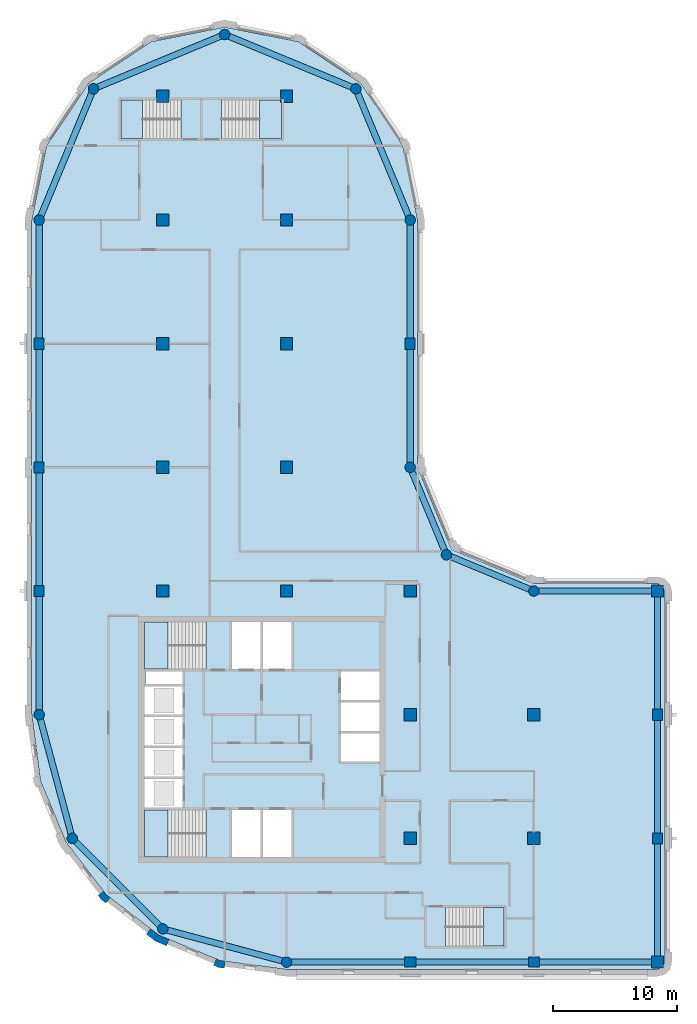
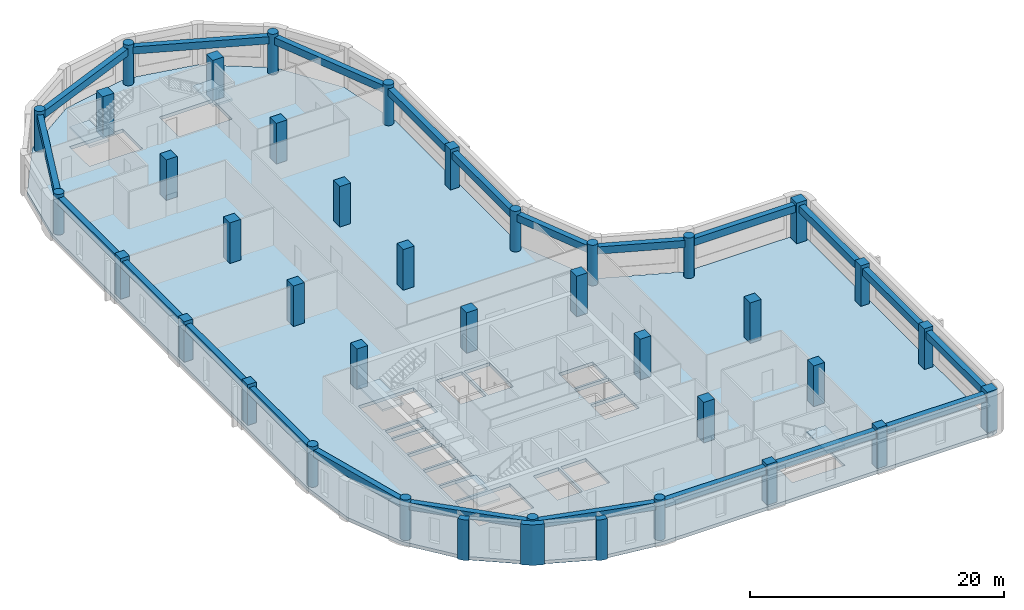
# One storey, part 1 of 9: 37 columns, 22 beams, 6 slabs, 3 walls, 5 elements without a shape of their own.
"""IFC4 building model written with IfcOpenShell, lengths in metres."""

from ifc_helpers import new_model, si_unit, direction, frame, origin, origin_2d, place, context, subcontext, project, spatial, polyline, rectangle, circle, outline, extrude, material, layer, layer_set, material_profile, profile_set, type_object, element, aggregate, save


model = new_model("IFC4")

# Units and contexts
model_context = context("Model", 3, precision=1e-05, world=origin(), true_north=direction((0.0, 1.0)))
body_context = subcontext(model_context, "Body", "Model", "MODEL_VIEW")
ifc_project = project(units=[si_unit("LENGTHUNIT", "METRE"), si_unit("AREAUNIT", "SQUARE_METRE"), si_unit("VOLUMEUNIT", "CUBIC_METRE"), si_unit("PLANEANGLEUNIT", "RADIAN"), si_unit("MASSUNIT", "GRAM", prefix="KILO")], contexts=[model_context])

# Site, building, storey
site_placement = place(None, origin())
site = spatial("IfcSite", under=ifc_project, at=site_placement, CompositionType="ELEMENT")
building_placement = place(site_placement, origin())
building = spatial("IfcBuilding", under=site, at=building_placement, Name="Qaws Garden Tower", CompositionType="ELEMENT")
storey_placement = place(building_placement, frame((0.0, 0.0, 255.300048828125)))
storey = spatial("IfcBuildingStorey", under=building, at=storey_placement, Name="L61", CompositionType="ELEMENT", Elevation=255.300048828125)

# Columns
ifc_material_1 = material(Name="Concrete C60", Category="concrete")
ifc_material_profile_1 = material_profile(ifc_material_1, rectangle(XDim=1.0, YDim=1.0, at=origin_2d()), Name="RC 1000x1000")
ifc_profile_set_1 = profile_set([ifc_material_profile_1], Name="Concrete C60")
column_type_1 = type_object("IfcColumnType", Name="Column RC 1000x1000 C60", PredefinedType="COLUMN", material=ifc_profile_set_1)
for number, where, z_axis, x_axis, name in (
    (1, (10.0, 30.0, 0.0), (0.0, 0.0, 1.0), (1.0, 0.0, 0.0), "Column L61-023"),
    (2, (10.0, 40.0, 0.0), (0.0, 0.0, 1.0), (1.0, 0.0, 0.0), "Column L61-024"),
    (3, (10.0, 50.0, 0.0), (0.0, 0.0, 1.0), (1.0, 0.0, 0.0), "Column L61-025"),
    (4, (10.0, 60.0, 0.0), (0.0, 0.0, 1.0), (1.0, 0.0, 0.0), "Column L61-026"),
    (5, (10.0, 70.0, 0.0), (0.0, 0.0, 1.0), (1.0, 0.0, 0.0), "Column L61-027"),
    (6, (20.0, 30.0, 0.0), (0.0, 0.0, 1.0), (1.0, 0.0, 0.0), "Column L61-028"),
    (7, (20.0, 40.0, 0.0), (0.0, 0.0, 1.0), (1.0, 0.0, 0.0), "Column L61-029"),
    (8, (20.0, 50.0, 0.0), (0.0, 0.0, 1.0), (1.0, 0.0, 0.0), "Column L61-030"),
    (9, (20.0, 60.0, 0.0), (0.0, 0.0, 1.0), (1.0, 0.0, 0.0), "Column L61-031"),
    (10, (20.0, 70.0, 0.0), (0.0, 0.0, 1.0), (1.0, 0.0, 0.0), "Column L61-032"),
    (11, (30.0, 10.0, 0.0), (0.0, 0.0, 1.0), (1.0, 0.0, 0.0), "Column L61-033"),
    (12, (30.0, 20.0, 0.0), (0.0, 0.0, 1.0), (1.0, 0.0, 0.0), "Column L61-034"),
    (13, (30.0, 30.0, 0.0), (0.0, 0.0, 1.0), (1.0, 0.0, 0.0), "Column L61-035"),
    (14, (40.0, 10.0, 0.0), (0.0, 0.0, 1.0), (1.0, 0.0, 0.0), "Column L61-036"),
    (15, (40.0, 20.0, 0.0), (0.0, 0.0, 1.0), (1.0, 0.0, 0.0), "Column L61-037"),
):
    element("IfcColumn", number, at=place(storey_placement, frame(where, z_axis=z_axis, x_axis=x_axis)), inside=storey, type_object=column_type_1, Name=name, PredefinedType="COLUMN", context=body_context, shape_type="SweptSolid", body=[
        extrude(rectangle(XDim=1.0, YDim=1.0, at=origin_2d()), origin(), (0.0, 0.0, 1.0), 3.89990234375),
    ])
ifc_material_2 = material(Name="Concrete C60", Category="concrete")
ifc_material_profile_2 = material_profile(ifc_material_2, rectangle(XDim=0.89990234375, YDim=0.800048828125, at=origin_2d()), Name="RC 900x800")
ifc_profile_set_2 = profile_set([ifc_material_profile_2], Name="Concrete C60")
column_type_2 = type_object("IfcColumnType", Name="Column RC 900x800 C60", PredefinedType="COLUMN", material=ifc_profile_set_2)
for number, where, z_axis, x_axis, name in (
    (16, (30.0, 0.0, 0.0), (0.0, 0.0, 1.0), (1.0, 0.0, 0.0), "Column L61-002"),
    (17, (40.0, 0.0, 0.0), (0.0, 0.0, 1.0), (1.0, 0.0, 0.0), "Column L61-003"),
    (18, (50.0, 10.0, 0.0), (0.0, 0.0, 1.0), (0.0, 1.0, 0.0), "Column L61-005"),
    (19, (50.0, 20.0, 0.0), (0.0, 0.0, 1.0), (0.0, 1.0, 0.0), "Column L61-006"),
    (20, (30.0, 50.0, 0.0), (0.0, 0.0, 1.0), (0.0, 1.0, 0.0), "Column L61-011"),
    (21, (0.0, 50.0, 0.0), (0.0, 0.0, 1.0), (0.0, 1.0, 0.0), "Column L61-017"),
    (22, (0.0, 40.0, 0.0), (0.0, 0.0, 1.0), (0.0, 1.0, 0.0), "Column L61-018"),
    (23, (0.0, 30.0, 0.0), (0.0, 0.0, 1.0), (0.0, 1.0, 0.0), "Column L61-019"),
):
    element("IfcColumn", number, at=place(storey_placement, frame(where, z_axis=z_axis, x_axis=x_axis)), inside=storey, type_object=column_type_2, Name=name, PredefinedType="COLUMN", context=body_context, shape_type="SweptSolid", body=[
        extrude(rectangle(XDim=0.89990234375, YDim=0.800048828125, at=origin_2d()), origin(), (0.0, 0.0, 1.0), 3.89990234375),
    ])
ifc_material_3 = material(Name="Concrete C60", Category="concrete")
ifc_material_profile_3 = material_profile(ifc_material_3, rectangle(XDim=0.949951171875, YDim=0.949951171875, at=origin_2d()), Name="RC 950x950")
ifc_profile_set_3 = profile_set([ifc_material_profile_3], Name="Concrete C60")
column_type_3 = type_object("IfcColumnType", Name="Column RC 950x950 C60", PredefinedType="COLUMN", material=ifc_profile_set_3)
for number, where, z_axis, x_axis, name in (
    (24, (50.0, 0.0, 0.0), (0.0, 0.0, 1.0), (1.0, 0.0, 0.0), "Column L61-004"),
    (25, (50.0, 30.0, 0.0), (0.0, 0.0, 1.0), (1.0, 0.0, 0.0), "Column L61-007"),
):
    element("IfcColumn", number, at=place(storey_placement, frame(where, z_axis=z_axis, x_axis=x_axis)), inside=storey, type_object=column_type_3, Name=name, PredefinedType="COLUMN", context=body_context, shape_type="SweptSolid", body=[
        extrude(rectangle(XDim=0.949951171875, YDim=0.949951171875, at=origin_2d()), origin(), (0.0, 0.0, 1.0), 3.89990234375),
    ])
ifc_material_4 = material(Name="Concrete C60", Category="concrete")
ifc_material_profile_4 = material_profile(ifc_material_4, circle(Radius=0.425048828125, at=origin_2d()), Name="RC D850")
ifc_profile_set_4 = profile_set([ifc_material_profile_4], Name="Concrete C60")
column_type_4 = type_object("IfcColumnType", Name="Column RC D850 C60", PredefinedType="COLUMN", material=ifc_profile_set_4)
for number, where, z_axis, x_axis, name in (
    (26, (20.0, 0.0, 0.0), (0.0, 0.0, 1.0), (1.0, 0.0, 0.0), "Column L61-001"),
    (27, (40.0, 30.0, 0.0), (0.0, 0.0, 1.0), (1.0, 0.0, 0.0), "Column L61-008"),
    (28, (32.928955078125, 32.928955078125, 0.0), (0.0, 0.0, 1.0), (1.0, 0.0, 0.0), "Column L61-009"),
    (29, (30.0, 40.0, 0.0), (0.0, 0.0, 1.0), (1.0, 0.0, 0.0), "Column L61-010"),
    (30, (30.0, 60.0, 0.0), (0.0, 0.0, 1.0), (1.0, 0.0, 0.0), "Column L61-012"),
    (31, (25.606689453125, 70.606689453125, 0.0), (0.0, 0.0, 1.0), (1.0, 0.0, 0.0), "Column L61-013"),
    (32, (15.0, 75.0, 0.0), (0.0, 0.0, 1.0), (1.0, 0.0, 0.0), "Column L61-014"),
    (33, (4.393310546875, 70.606689453125, 0.0), (0.0, 0.0, 1.0), (1.0, 0.0, 0.0), "Column L61-015"),
    (34, (0.0, 60.0, 0.0), (0.0, 0.0, 1.0), (1.0, 0.0, 0.0), "Column L61-016"),
    (35, (0.0, 20.0, 0.0), (0.0, 0.0, 1.0), (1.0, 0.0, 0.0), "Column L61-020"),
    (36, (2.679443359375, 10.0, 0.0), (0.0, 0.0, 1.0), (1.0, 0.0, 0.0), "Column L61-021"),
    (37, (10.0, 2.679443359375, 0.0), (0.0, 0.0, 1.0), (1.0, 0.0, 0.0), "Column L61-022"),
):
    element("IfcColumn", number, at=place(storey_placement, frame(where, z_axis=z_axis, x_axis=x_axis)), inside=storey, type_object=column_type_4, Name=name, PredefinedType="COLUMN", context=body_context, shape_type="SweptSolid", body=[
        extrude(circle(Radius=0.425048828125, at=origin_2d()), origin(), (0.0, 0.0, 1.0), 3.89990234375),
    ])

# Beams
ifc_material_5 = material(Name="Concrete C45", Category="concrete")
ifc_material_profile_5 = material_profile(ifc_material_5, rectangle(XDim=0.5, YDim=0.699951171875, at=origin_2d()), Name="RC 500x700")
ifc_profile_set_5 = profile_set([ifc_material_profile_5], Name="Concrete C45")
beam_type = type_object("IfcBeamType", Name="Spandrel beam RC 500x700 C45", PredefinedType="SPANDREL", material=ifc_profile_set_5)
for number, where, z_axis, x_axis, name in (
    (38, (20.0, 0.0, 3.22998046875), (1.0, 0.0, 0.0), (0.0, 1.0, 0.0), "Spandrel beam L61-001"),
    (39, (30.0, 0.0, 3.22998046875), (1.0, 0.0, 0.0), (0.0, 1.0, 0.0), "Spandrel beam L61-002"),
    (40, (40.0, 0.0, 3.22998046875), (1.0, 0.0, 0.0), (0.0, 1.0, 0.0), "Spandrel beam L61-003"),
    (41, (50.0, 0.0, 3.22998046875), (0.0, 1.0, 0.0), (-1.0, 0.0, 0.0), "Spandrel beam L61-004"),
    (42, (50.0, 10.0, 3.22998046875), (0.0, 1.0, 0.0), (-1.0, 0.0, 0.0), "Spandrel beam L61-005"),
    (43, (50.0, 20.0, 3.22998046875), (0.0, 1.0, 0.0), (-1.0, 0.0, 0.0), "Spandrel beam L61-006"),
    (44, (50.0, 30.0, 3.22998046875), (-1.0, 0.0, 0.0), (0.0, -1.0, 0.0), "Spandrel beam L61-007"),
):
    element("IfcBeam", number, at=place(storey_placement, frame(where, z_axis=z_axis, x_axis=x_axis)), inside=storey, type_object=beam_type, Name=name, PredefinedType="SPANDREL", context=body_context, shape_type="SweptSolid", body=[
        extrude(rectangle(XDim=0.5, YDim=0.699951171875, at=origin_2d()), origin(), (0.0, 0.0, 1.0), 10.0),
    ])
for number, where, z_axis, x_axis, name in (
    (45, (40.0, 30.0, 3.22998046875), (-0.923878037141, 0.382687042488, 0.0), (-0.382687042488, -0.923878037141, 0.0), "Spandrel beam L61-008"),
    (46, (32.928955078125, 32.928955078125, 3.22998046875), (-0.382687042488, 0.923878037141, 0.0), (-0.923878037141, -0.382687042488, 0.0), "Spandrel beam L61-009"),
):
    element("IfcBeam", number, at=place(storey_placement, frame(where, z_axis=z_axis, x_axis=x_axis)), inside=storey, type_object=beam_type, Name=name, PredefinedType="SPANDREL", context=body_context, shape_type="SweptSolid", body=[
        extrude(rectangle(XDim=0.5, YDim=0.699951171875, at=origin_2d()), origin(), (0.0, 0.0, 1.0), 7.653564453125),
    ])
for number, where, z_axis, x_axis, name in (
    (47, (30.0, 40.0, 3.22998046875), (0.0, 1.0, 0.0), (-1.0, 0.0, 0.0), "Spandrel beam L61-010"),
    (48, (30.0, 50.0, 3.22998046875), (0.0, 1.0, 0.0), (-1.0, 0.0, 0.0), "Spandrel beam L61-011"),
):
    element("IfcBeam", number, at=place(storey_placement, frame(where, z_axis=z_axis, x_axis=x_axis)), inside=storey, type_object=beam_type, Name=name, PredefinedType="SPANDREL", context=body_context, shape_type="SweptSolid", body=[
        extrude(rectangle(XDim=0.5, YDim=0.699951171875, at=origin_2d()), origin(), (0.0, 0.0, 1.0), 10.0),
    ])
for number, where, z_axis, x_axis, name in (
    (49, (30.0, 60.0, 3.22998046875), (-0.382674207535, 0.923883353507, 0.0), (-0.923883353507, -0.382674207535, 0.0), "Spandrel beam L61-012"),
    (50, (25.606689453125, 70.606689453125, 3.22998046875), (-0.923883353507, 0.382674207535, 0.0), (-0.382674207535, -0.923883353507, 0.0), "Spandrel beam L61-013"),
    (51, (15.0, 75.0, 3.22998046875), (-0.923883353507, -0.382674207535, 0.0), (0.382674207535, -0.923883353507, 0.0), "Spandrel beam L61-014"),
    (52, (4.393310546875, 70.606689453125, 3.22998046875), (-0.382674207535, -0.923883353507, 0.0), (0.923883353507, -0.382674207535, 0.0), "Spandrel beam L61-015"),
):
    element("IfcBeam", number, at=place(storey_placement, frame(where, z_axis=z_axis, x_axis=x_axis)), inside=storey, type_object=beam_type, Name=name, PredefinedType="SPANDREL", context=body_context, shape_type="SweptSolid", body=[
        extrude(rectangle(XDim=0.5, YDim=0.699951171875, at=origin_2d()), origin(), (0.0, 0.0, 1.0), 11.48046875),
    ])
for number, where, z_axis, x_axis, name in (
    (53, (0.0, 60.0, 3.22998046875), (0.0, -1.0, 0.0), (1.0, 0.0, 0.0), "Spandrel beam L61-016"),
    (54, (0.0, 50.0, 3.22998046875), (0.0, -1.0, 0.0), (1.0, 0.0, 0.0), "Spandrel beam L61-017"),
    (55, (0.0, 40.0, 3.22998046875), (0.0, -1.0, 0.0), (1.0, 0.0, 0.0), "Spandrel beam L61-018"),
    (56, (0.0, 30.0, 3.22998046875), (0.0, -1.0, 0.0), (1.0, 0.0, 0.0), "Spandrel beam L61-019"),
):
    element("IfcBeam", number, at=place(storey_placement, frame(where, z_axis=z_axis, x_axis=x_axis)), inside=storey, type_object=beam_type, Name=name, PredefinedType="SPANDREL", context=body_context, shape_type="SweptSolid", body=[
        extrude(rectangle(XDim=0.5, YDim=0.699951171875, at=origin_2d()), origin(), (0.0, 0.0, 1.0), 10.0),
    ])
for number, where, z_axis, x_axis, name in (
    (57, (0.0, 20.0, 3.22998046875), (0.25881466832, -0.965926999034, 0.0), (0.965926999034, 0.25881466832, 0.0), "Spandrel beam L61-020"),
    (58, (2.679443359375, 10.0, 3.22998046875), (0.707106781187, -0.707106781187, 0.0), (0.707106781187, 0.707106781187, 0.0), "Spandrel beam L61-021"),
    (59, (10.0, 2.679443359375, 3.22998046875), (0.965926999034, -0.25881466832, 0.0), (0.25881466832, 0.965926999034, 0.0), "Spandrel beam L61-022"),
):
    element("IfcBeam", number, at=place(storey_placement, frame(where, z_axis=z_axis, x_axis=x_axis)), inside=storey, type_object=beam_type, Name=name, PredefinedType="SPANDREL", context=body_context, shape_type="SweptSolid", body=[
        extrude(rectangle(XDim=0.5, YDim=0.699951171875, at=origin_2d()), origin(), (0.0, 0.0, 1.0), 10.352783203125),
    ])

# Slab
ifc_material_6 = material(Name="Concrete C40", Category="concrete")
ifc_layer_1 = layer(ifc_material_6, 0.320068359375)
ifc_layer_set_1 = layer_set([ifc_layer_1], Name="Concrete C40")
slab_type_1 = type_object("IfcSlabType", Name="Floor slab 320 C40", PredefinedType="FLOOR", material=ifc_layer_set_1)
slab_1_placement = place(storey_placement, frame((0.0, 0.0, -0.320068359375)))
element("IfcSlab", 60, at=slab_1_placement, inside=storey, type_object=slab_type_1, Name="Floor slab L61", PredefinedType="FLOOR", context=body_context, shape_type="SweptSolid", body=[
    extrude(outline(polyline([(0.101806640625, 14.668212890625), (-0.60009765625, 20.0), (-0.60009765625, 30.60009765625), (-0.60009765625, 60.0), (-0.60009765625, 60.0), (0.58740234375, 65.969970703125), (3.968994140625, 71.031005859375), (9.030029296875, 74.41259765625), (15.0, 75.60009765625), (20.969970703125, 74.41259765625), (26.031005859375, 71.031005859375), (29.41259765625, 65.969970703125), (30.60009765625, 60.0), (30.60009765625, 40.0), (33.353271484375, 33.353271484375), (40.0, 30.60009765625), (50.0, 30.60009765625), (50.42431640625, 30.42431640625), (50.60009765625, 30.0), (50.60009765625, 0.0), (50.42431640625, -0.42431640625), (50.0, -0.60009765625), (30.60009765625, -0.60009765625), (20.0, -0.60009765625), (14.668212890625, 0.101806640625), (9.699951171875, 2.159912109375), (5.43359375, 5.43359375), (2.159912109375, 9.699951171875), (0.101806640625, 14.668212890625)]), holes=[polyline([(13.49951171875, 12.300048828125), (8.5, 12.300048828125), (8.5, 8.5), (13.49951171875, 8.5), (13.49951171875, 12.300048828125)]), polyline([(17.89990234375, 12.300048828125), (15.60009765625, 12.300048828125), (15.60009765625, 8.5), (17.89990234375, 8.5), (17.89990234375, 12.300048828125)]), polyline([(11.60009765625, 14.800048828125), (8.5, 14.800048828125), (8.5, 12.5), (11.60009765625, 12.5), (11.60009765625, 14.800048828125)]), polyline([(11.60009765625, 17.300048828125), (8.5, 17.300048828125), (8.5, 15.0), (11.60009765625, 15.0), (11.60009765625, 17.300048828125)]), polyline([(11.60009765625, 19.800048828125), (8.5, 19.800048828125), (8.5, 17.5), (11.60009765625, 17.5), (11.60009765625, 19.800048828125)]), polyline([(11.60009765625, 22.300048828125), (8.5, 22.300048828125), (8.5, 20.0), (11.60009765625, 20.0), (11.60009765625, 22.300048828125)]), polyline([(11.60009765625, 23.5), (8.60009765625, 23.5), (8.60009765625, 22.5), (11.60009765625, 22.5), (11.60009765625, 23.5)]), polyline([(13.49951171875, 27.5), (8.5, 27.5), (8.5, 23.699951171875), (13.49951171875, 23.699951171875), (13.49951171875, 27.5)]), polyline([(11.449462890625, 69.699951171875), (6.60009765625, 69.699951171875), (6.60009765625, 66.60009765625), (11.449462890625, 66.60009765625), (11.449462890625, 69.699951171875)]), polyline([(37.60009765625, 4.39990234375), (32.8505859375, 4.39990234375), (32.8505859375, 1.300048828125), (37.60009765625, 1.300048828125), (37.60009765625, 4.39990234375)]), polyline([(20.39990234375, 12.300048828125), (18.10009765625, 12.300048828125), (18.10009765625, 8.5), (20.39990234375, 8.5), (20.39990234375, 12.300048828125)]), polyline([(27.5, 18.5), (24.39990234375, 18.5), (24.39990234375, 16.199951171875), (27.5, 16.199951171875), (27.5, 18.5)]), polyline([(27.5, 21.0), (24.39990234375, 21.0), (24.39990234375, 18.699951171875), (27.5, 18.699951171875), (27.5, 21.0)]), polyline([(27.5, 23.5), (24.39990234375, 23.5), (24.39990234375, 21.199951171875), (27.5, 21.199951171875), (27.5, 23.5)]), polyline([(17.89990234375, 27.5), (15.60009765625, 27.5), (15.60009765625, 23.699951171875), (17.89990234375, 23.699951171875), (17.89990234375, 27.5)]), polyline([(20.39990234375, 23.699951171875), (20.39990234375, 27.5), (18.10009765625, 27.5), (18.10009765625, 23.699951171875), (20.39990234375, 23.699951171875)]), polyline([(19.60009765625, 66.60009765625), (19.60009765625, 69.699951171875), (14.75048828125, 69.699951171875), (14.75048828125, 66.60009765625), (19.60009765625, 66.60009765625)])]), origin(), (0.0, 0.0, 1.0), 0.320068359375),
])

# Stair, slab
ifc_material_7 = material(Name="Concrete C40", Category="concrete")
stair_type_1 = type_object("IfcStairType", Name="Exit stair 1500", PredefinedType="HALF_TURN_STAIR", material=ifc_material_7)
placement_1 = place(storey_placement, origin())
stair_1 = element("IfcStair", 61, at=placement_1, inside=storey, type_object=stair_type_1, Name="Stair 1", PredefinedType="HALF_TURN_STAIR")
ifc_material_8 = material(Name="Concrete C40", Category="concrete")
ifc_layer_2 = layer(ifc_material_8, 0.199951171875)
ifc_layer_set_2 = layer_set([ifc_layer_2], Name="Concrete C40")
slab_type_2 = type_object("IfcSlabType", Name="Stair landing 200", PredefinedType="LANDING", material=ifc_layer_set_2)
placement_2 = place(storey_placement, frame((0.0, 0.0, 1.75)))
slab_2 = element("IfcSlab", 62, at=placement_2, type_object=slab_type_2, Name="ST1 landing 1", PredefinedType="LANDING", context=body_context, shape_type="SweptSolid", body=[
    extrude(outline(polyline([(8.5, 8.5), (10.419921875, 8.5), (10.419921875, 12.300048828125), (8.5, 12.300048828125), (8.5, 8.5)])), origin(), (0.0, 0.0, 1.0), 0.199951171875),
])
aggregate(stair_1, [slab_2])

stair_2 = element("IfcStair", 63, at=placement_1, inside=storey, type_object=stair_type_1, Name="Stair 4", PredefinedType="HALF_TURN_STAIR")
slab_3 = element("IfcSlab", 64, at=placement_2, type_object=slab_type_2, Name="ST4 landing 1", PredefinedType="LANDING", context=body_context, shape_type="SweptSolid", body=[
    extrude(outline(polyline([(8.5, 23.699951171875), (10.419921875, 23.699951171875), (10.419921875, 27.5), (8.5, 27.5), (8.5, 23.699951171875)])), origin(), (0.0, 0.0, 1.0), 0.199951171875),
])
aggregate(stair_2, [slab_3])

ifc_material_9 = material(Name="Concrete C40", Category="concrete")
stair_type_2 = type_object("IfcStairType", Name="Exit stair 1350", PredefinedType="HALF_TURN_STAIR", material=ifc_material_9)
stair_3 = element("IfcStair", 65, at=placement_1, inside=storey, type_object=stair_type_2, Name="Stair 5", PredefinedType="HALF_TURN_STAIR")
slab_4 = element("IfcSlab", 66, at=placement_2, type_object=slab_type_2, Name="ST5 landing 1", PredefinedType="LANDING", context=body_context, shape_type="SweptSolid", body=[
    extrude(outline(polyline([(35.929931640625, 1.300048828125), (37.60009765625, 1.300048828125), (37.60009765625, 4.39990234375), (35.929931640625, 4.39990234375), (35.929931640625, 1.300048828125)])), origin(), (0.0, 0.0, 1.0), 0.199951171875),
])
aggregate(stair_3, [slab_4])

stair_4 = element("IfcStair", 67, at=placement_1, inside=storey, type_object=stair_type_2, Name="Stair 6", PredefinedType="HALF_TURN_STAIR")
slab_5 = element("IfcSlab", 68, at=placement_2, type_object=slab_type_2, Name="ST6 landing 1", PredefinedType="LANDING", context=body_context, shape_type="SweptSolid", body=[
    extrude(outline(polyline([(6.60009765625, 66.60009765625), (8.3701171875, 66.60009765625), (8.3701171875, 69.699951171875), (6.60009765625, 69.699951171875), (6.60009765625, 66.60009765625)])), origin(), (0.0, 0.0, 1.0), 0.199951171875),
])
aggregate(stair_4, [slab_5])

stair_5 = element("IfcStair", 69, at=placement_1, inside=storey, type_object=stair_type_2, Name="Stair 7", PredefinedType="HALF_TURN_STAIR")
slab_6 = element("IfcSlab", 70, at=placement_2, type_object=slab_type_2, Name="ST7 landing 1", PredefinedType="LANDING", context=body_context, shape_type="SweptSolid", body=[
    extrude(outline(polyline([(17.830078125, 66.60009765625), (19.60009765625, 66.60009765625), (19.60009765625, 69.699951171875), (17.830078125, 69.699951171875), (17.830078125, 66.60009765625)])), origin(), (0.0, 0.0, 1.0), 0.199951171875),
])
aggregate(stair_5, [slab_6])

# Walls
ifc_material_10 = material(Name="Clay facing brick masonry", Category="masonry")
ifc_layer_3 = layer(ifc_material_10, 0.550048828125)
ifc_layer_set_3 = layer_set([ifc_layer_3], Name="Clay facing brick masonry")
wall_type_1 = type_object("IfcWallType", Name="Brick kink pier 550 x 600", PredefinedType="SOLIDWALL", material=ifc_layer_set_3)
element("IfcWall", 71, at=placement_1, inside=storey, type_object=wall_type_1, Name="E-L61-pier-26", PredefinedType="SOLIDWALL", context=body_context, shape_type="SweptSolid", body=[
    extrude(outline(polyline([(4.8818359375, 5.487060546875), (4.762939453125, 5.395751953125), (5.03759765625, 5.03759765625), (5.395751953125, 4.762939453125), (5.487060546875, 4.8818359375), (5.730712890625, 5.19921875), (5.429931640625, 5.429931640625), (5.19921875, 5.730712890625), (4.8818359375, 5.487060546875)])), origin(), (0.0, 0.0, 1.0), 3.89990234375),
])
element("IfcWall", 72, at=placement_1, inside=storey, type_object=wall_type_1, Name="E-L61-pier-28", PredefinedType="SOLIDWALL", context=body_context, shape_type="SweptSolid", body=[
    extrude(outline(polyline([(14.163818359375, -0.127685546875), (14.1064453125, -0.26611328125), (14.5234375, -0.43896484375), (14.970947265625, -0.497802734375), (14.990478515625, -0.34912109375), (15.042724609375, 0.04736328125), (14.6669921875, 0.096923828125), (14.31689453125, 0.241943359375), (14.163818359375, -0.127685546875)])), origin(), (0.0, 0.0, 1.0), 3.89990234375),
])
ifc_material_11 = material(Name="Clay facing brick masonry", Category="masonry")
ifc_layer_4 = layer(ifc_material_11, 0.550048828125)
ifc_layer_set_4 = layer_set([ifc_layer_4], Name="Clay facing brick masonry")
wall_type_2 = type_object("IfcWallType", Name="Brick pier 550 x 1600", PredefinedType="SOLIDWALL", material=ifc_layer_set_4)
element("IfcWall", 73, at=placement_1, inside=storey, type_object=wall_type_2, Name="E-L61-pier-27", PredefinedType="SOLIDWALL", context=body_context, shape_type="SweptSolid", body=[
    extrude(outline(polyline([(8.756591796875, 2.373046875), (8.665283203125, 2.254150390625), (9.419921875, 1.675048828125), (10.299072265625, 1.310791015625), (10.3564453125, 1.449462890625), (10.509521484375, 1.819091796875), (9.697509765625, 2.1552734375), (9.0, 2.6904296875), (8.756591796875, 2.373046875)])), origin(), (0.0, 0.0, 1.0), 3.89990234375),
])

save(model, "model.ifc")
